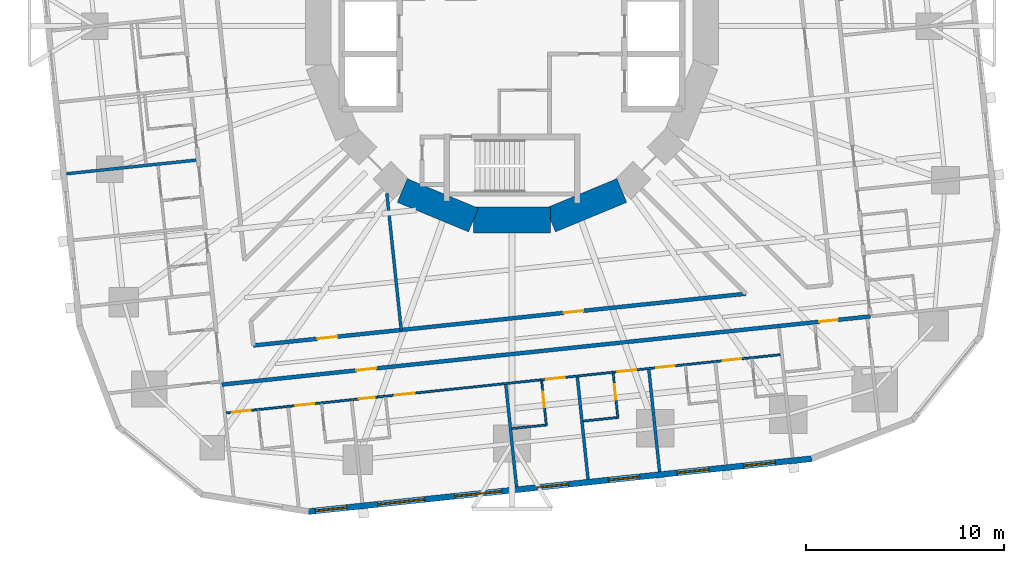
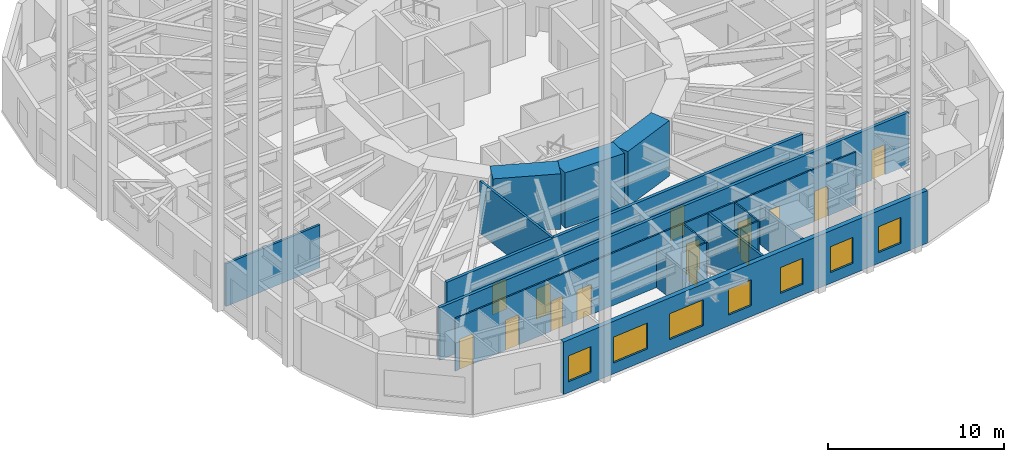
# One storey, part 5 of 13: 16 walls, 14 doors, 7 windows, 21 openings.
"""IFC4 building model written with IfcOpenShell, lengths in metres."""

from ifc_helpers import new_model, si_unit, direction, frame, frame_2d, origin, place, context, subcontext, project, spatial, rectangle, extrude, material, layer, layer_set, type_object, element, fill, save


model = new_model("IFC4")

# Units and contexts
model_context = context("Model", 3, precision=1e-05, world=origin(), true_north=direction((0.0, 1.0)))
body_context = subcontext(model_context, "Body", "Model", "MODEL_VIEW")
ifc_project = project(units=[si_unit("LENGTHUNIT", "METRE"), si_unit("AREAUNIT", "SQUARE_METRE"), si_unit("VOLUMEUNIT", "CUBIC_METRE"), si_unit("PLANEANGLEUNIT", "RADIAN"), si_unit("MASSUNIT", "GRAM", prefix="KILO")], contexts=[model_context])

# Site, building, storey
site_placement = place(None, origin())
site = spatial("IfcSite", under=ifc_project, at=site_placement, CompositionType="ELEMENT")
building_placement = place(site_placement, origin())
building = spatial("IfcBuilding", under=site, at=building_placement, Name="Nakasero Lantern House", CompositionType="ELEMENT")
storey_placement = place(building_placement, frame((0.0, 0.0, 60.5)))
storey = spatial("IfcBuildingStorey", under=building, at=storey_placement, Name="L14", CompositionType="ELEMENT", Elevation=60.5)

# Wall, openings, doors
ifc_material_1 = material(Name="Blockwork", Category="masonry")
ifc_layer_1 = layer(ifc_material_1, 0.10009765625)
ifc_layer_set_1 = layer_set([ifc_layer_1], Name="Cluster hall wall 100")
wall_type_1 = type_object("IfcWallType", Name="Cluster hall wall 100", PredefinedType="PARTITIONING", material=ifc_layer_set_1)
wall_1_placement = place(storey_placement, frame((-14.458740234375, -19.568603515625, 0.0), z_axis=(0.0, 0.0, 1.0), x_axis=(0.99452185951, 0.10452880444, 0.0)))
wall_1 = element("IfcWall", 1, at=wall_1_placement, inside=storey, type_object=wall_type_1, Name="Cluster hall wall L14 HW3-0", PredefinedType="PARTITIONING", context=body_context, shape_type="SweptSolid", body=[
    extrude(rectangle(XDim=28.191162109375, YDim=0.10009765625, at=frame_2d((14.095703125, 0.0))), origin(), (0.0, 0.0, 1.0), 3.64990234375),
])
opening_1_placement = place(wall_1_placement, frame((8.57568359375, 0.0, 0.0)))
opening_1 = element("IfcOpeningElement", 2, at=opening_1_placement, cuts=wall_1, Name="Opening D03", PredefinedType="OPENING", context=body_context, shape_type="SweptSolid", body=[
    extrude(rectangle(XDim=1.0, YDim=2.10009765625, at=frame_2d((0.5, 1.050048828125))), frame((0.0, 0.070068359375, 0.0), z_axis=(0.0, -1.0, 0.0), x_axis=(1.0, 0.0, 0.0)), (0.0, 0.0, 1.0), 0.14013671875),
])
opening_2_placement = place(wall_1_placement, frame((6.75048828125, 0.0, 0.0)))
opening_2 = element("IfcOpeningElement", 3, at=opening_2_placement, cuts=wall_1, Name="Opening D02", PredefinedType="OPENING", context=body_context, shape_type="SweptSolid", body=[
    extrude(rectangle(XDim=0.800048828125, YDim=2.10009765625, at=frame_2d((0.39990234375, 1.050048828125))), frame((0.0, 0.070068359375, 0.0), z_axis=(0.0, -1.0, 0.0), x_axis=(1.0, 0.0, 0.0)), (0.0, 0.0, 1.0), 0.14013671875),
])
opening_3_placement = place(wall_1_placement, frame((0.300048828125, 0.0, 0.0)))
opening_3 = element("IfcOpeningElement", 4, at=opening_3_placement, cuts=wall_1, Name="Opening D01", PredefinedType="OPENING", context=body_context, shape_type="SweptSolid", body=[
    extrude(rectangle(XDim=0.949951171875, YDim=2.10009765625, at=frame_2d((0.47509765625, 1.050048828125))), frame((0.0, 0.070068359375, 0.0), z_axis=(0.0, -1.0, 0.0), x_axis=(1.0, 0.0, 0.0)), (0.0, 0.0, 1.0), 0.14013671875),
])
opening_4_placement = place(wall_1_placement, frame((3.525390625, 0.0, 0.0)))
opening_4 = element("IfcOpeningElement", 5, at=opening_4_placement, cuts=wall_1, Name="Opening D01", PredefinedType="OPENING", context=body_context, shape_type="SweptSolid", body=[
    extrude(rectangle(XDim=0.949951171875, YDim=2.10009765625, at=frame_2d((0.47509765625, 1.050048828125))), frame((0.0, 0.070068359375, 0.0), z_axis=(0.0, -1.0, 0.0), x_axis=(1.0, 0.0, 0.0)), (0.0, 0.0, 1.0), 0.14013671875),
])
opening_5_placement = place(wall_1_placement, frame((16.267822265625, 0.0, 0.0)))
opening_5 = element("IfcOpeningElement", 6, at=opening_5_placement, cuts=wall_1, Name="Opening D01", PredefinedType="OPENING", context=body_context, shape_type="SweptSolid", body=[
    extrude(rectangle(XDim=0.949951171875, YDim=2.10009765625, at=frame_2d((0.47509765625, 1.050048828125))), frame((0.0, 0.070068359375, 0.0), z_axis=(0.0, -1.0, 0.0), x_axis=(1.0, 0.0, 0.0)), (0.0, 0.0, 1.0), 0.14013671875),
])
opening_6_placement = place(wall_1_placement, frame((19.906494140625, 0.0, 0.0)))
opening_6 = element("IfcOpeningElement", 7, at=opening_6_placement, cuts=wall_1, Name="Opening D01", PredefinedType="OPENING", context=body_context, shape_type="SweptSolid", body=[
    extrude(rectangle(XDim=0.949951171875, YDim=2.10009765625, at=frame_2d((0.47509765625, 1.050048828125))), frame((0.0, 0.070068359375, 0.0), z_axis=(0.0, -1.0, 0.0), x_axis=(1.0, 0.0, 0.0)), (0.0, 0.0, 1.0), 0.14013671875),
])
opening_7_placement = place(wall_1_placement, frame((21.8701171875, 0.0, 0.0)))
opening_7 = element("IfcOpeningElement", 8, at=opening_7_placement, cuts=wall_1, Name="Opening D01", PredefinedType="OPENING", context=body_context, shape_type="SweptSolid", body=[
    extrude(rectangle(XDim=0.949951171875, YDim=2.10009765625, at=frame_2d((0.47509765625, 1.050048828125))), frame((0.0, 0.070068359375, 0.0), z_axis=(0.0, -1.0, 0.0), x_axis=(1.0, 0.0, 0.0)), (0.0, 0.0, 1.0), 0.14013671875),
])
opening_8_placement = place(wall_1_placement, frame((25.255615234375, 0.0, 0.0)))
opening_8 = element("IfcOpeningElement", 9, at=opening_8_placement, cuts=wall_1, Name="Opening D01", PredefinedType="OPENING", context=body_context, shape_type="SweptSolid", body=[
    extrude(rectangle(XDim=0.949951171875, YDim=2.10009765625, at=frame_2d((0.47509765625, 1.050048828125))), frame((0.0, 0.070068359375, 0.0), z_axis=(0.0, -1.0, 0.0), x_axis=(1.0, 0.0, 0.0)), (0.0, 0.0, 1.0), 0.14013671875),
])
ifc_material_2 = material(Name="Timber C24", Category="wood")
door_type_1 = type_object("IfcDoorType", Name="Bedroom door FD30S 950", OperationType="SINGLE_SWING_LEFT", PredefinedType="DOOR", material=ifc_material_2)
door_1_placement = place(opening_3_placement, origin())
door_1 = element("IfcDoor", 10, at=door_1_placement, inside=storey, type_object=door_type_1, Name="Door L14 D3-00", OperationType="SINGLE_SWING_LEFT", OverallHeight=2.10009765625, OverallWidth=0.949951171875, PredefinedType="DOOR", context=body_context, shape_type="SweptSolid", body=[
    extrude(rectangle(XDim=0.949951171875, YDim=2.10009765625, at=frame_2d((0.47509765625, 1.050048828125))), frame((0.0, 0.02490234375, 0.0), z_axis=(0.0, -1.0, 0.0), x_axis=(1.0, 0.0, 0.0)), (0.0, 0.0, 1.0), 0.050048828125),
])
fill(opening_3, door_1)
door_2_placement = place(opening_4_placement, origin())
door_2 = element("IfcDoor", 11, at=door_2_placement, inside=storey, type_object=door_type_1, Name="Door L14 D3-01", OperationType="SINGLE_SWING_LEFT", OverallHeight=2.10009765625, OverallWidth=0.949951171875, PredefinedType="DOOR", context=body_context, shape_type="SweptSolid", body=[
    extrude(rectangle(XDim=0.949951171875, YDim=2.10009765625, at=frame_2d((0.47509765625, 1.050048828125))), frame((0.0, 0.02490234375, 0.0), z_axis=(0.0, -1.0, 0.0), x_axis=(1.0, 0.0, 0.0)), (0.0, 0.0, 1.0), 0.050048828125),
])
fill(opening_4, door_2)
door_3_placement = place(opening_5_placement, origin())
door_3 = element("IfcDoor", 12, at=door_3_placement, inside=storey, type_object=door_type_1, Name="Door L14 D3-04", OperationType="SINGLE_SWING_RIGHT", OverallHeight=2.10009765625, OverallWidth=0.949951171875, PredefinedType="DOOR", context=body_context, shape_type="SweptSolid", body=[
    extrude(rectangle(XDim=0.949951171875, YDim=2.10009765625, at=frame_2d((0.47509765625, 1.050048828125))), frame((0.0, 0.02490234375, 0.0), z_axis=(0.0, -1.0, 0.0), x_axis=(1.0, 0.0, 0.0)), (0.0, 0.0, 1.0), 0.050048828125),
])
fill(opening_5, door_3)
door_4_placement = place(opening_6_placement, origin())
door_4 = element("IfcDoor", 13, at=door_4_placement, inside=storey, type_object=door_type_1, Name="Door L14 D3-05", OperationType="SINGLE_SWING_RIGHT", OverallHeight=2.10009765625, OverallWidth=0.949951171875, PredefinedType="DOOR", context=body_context, shape_type="SweptSolid", body=[
    extrude(rectangle(XDim=0.949951171875, YDim=2.10009765625, at=frame_2d((0.47509765625, 1.050048828125))), frame((0.0, 0.02490234375, 0.0), z_axis=(0.0, -1.0, 0.0), x_axis=(1.0, 0.0, 0.0)), (0.0, 0.0, 1.0), 0.050048828125),
])
fill(opening_6, door_4)
door_5_placement = place(opening_7_placement, origin())
door_5 = element("IfcDoor", 14, at=door_5_placement, inside=storey, type_object=door_type_1, Name="Door L14 D3-06", OperationType="SINGLE_SWING_RIGHT", OverallHeight=2.10009765625, OverallWidth=0.949951171875, PredefinedType="DOOR", context=body_context, shape_type="SweptSolid", body=[
    extrude(rectangle(XDim=0.949951171875, YDim=2.10009765625, at=frame_2d((0.47509765625, 1.050048828125))), frame((0.0, 0.02490234375, 0.0), z_axis=(0.0, -1.0, 0.0), x_axis=(1.0, 0.0, 0.0)), (0.0, 0.0, 1.0), 0.050048828125),
])
fill(opening_7, door_5)
door_6_placement = place(opening_8_placement, origin())
door_6 = element("IfcDoor", 15, at=door_6_placement, inside=storey, type_object=door_type_1, Name="Door L14 D3-07", OperationType="SINGLE_SWING_RIGHT", OverallHeight=2.10009765625, OverallWidth=0.949951171875, PredefinedType="DOOR", context=body_context, shape_type="SweptSolid", body=[
    extrude(rectangle(XDim=0.949951171875, YDim=2.10009765625, at=frame_2d((0.47509765625, 1.050048828125))), frame((0.0, 0.02490234375, 0.0), z_axis=(0.0, -1.0, 0.0), x_axis=(1.0, 0.0, 0.0)), (0.0, 0.0, 1.0), 0.050048828125),
])
fill(opening_8, door_6)
ifc_material_3 = material(Name="Timber C24", Category="wood")
door_type_2 = type_object("IfcDoorType", Name="En-suite door 800", OperationType="SINGLE_SWING_RIGHT", PredefinedType="DOOR", material=ifc_material_3)
door_7_placement = place(opening_2_placement, origin())
door_7 = element("IfcDoor", 16, at=door_7_placement, inside=storey, type_object=door_type_2, Name="Door L14 DSH3-0", OperationType="SINGLE_SWING_LEFT", OverallHeight=2.10009765625, OverallWidth=0.800048828125, PredefinedType="DOOR", context=body_context, shape_type="SweptSolid", body=[
    extrude(rectangle(XDim=0.800048828125, YDim=2.10009765625, at=frame_2d((0.39990234375, 1.050048828125))), frame((0.0, 0.02490234375, 0.0), z_axis=(0.0, -1.0, 0.0), x_axis=(1.0, 0.0, 0.0)), (0.0, 0.0, 1.0), 0.050048828125),
])
fill(opening_2, door_7)
ifc_material_4 = material(Name="Timber C24", Category="wood")
door_type_3 = type_object("IfcDoorType", Name="Lounge door FD30S 1000", OperationType="SINGLE_SWING_LEFT", PredefinedType="DOOR", material=ifc_material_4)
door_8_placement = place(opening_1_placement, origin())
door_8 = element("IfcDoor", 17, at=door_8_placement, inside=storey, type_object=door_type_3, Name="Door L14 DH3-0", OperationType="SINGLE_SWING_LEFT", OverallHeight=2.10009765625, OverallWidth=1.0, PredefinedType="DOOR", context=body_context, shape_type="SweptSolid", body=[
    extrude(rectangle(XDim=1.0, YDim=2.10009765625, at=frame_2d((0.5, 1.050048828125))), frame((0.0, 0.02490234375, 0.0), z_axis=(0.0, -1.0, 0.0), x_axis=(1.0, 0.0, 0.0)), (0.0, 0.0, 1.0), 0.050048828125),
])
fill(opening_1, door_8)

# Walls
ifc_material_5 = material(Name="Concrete C50/60", Category="concrete")
ifc_layer_2 = layer(ifc_material_5, 1.300048828125)
ifc_layer_set_2 = layer_set([ifc_layer_2], Name="Core wall 1300")
wall_type_2 = type_object("IfcWallType", Name="Core wall 1300", PredefinedType="SHEAR", material=ifc_layer_set_2)
for number, where, z_axis, x_axis, name in (
    (18, (-5.5556640625, -8.314697265625, 0.0), (0.0, 0.0, 1.0), (0.923876507187, -0.382690736062, 0.0), "Core wall L14 facet 11"),
    (19, (-1.950927734375, -9.807861328125, 0.0), (0.0, 0.0, 1.0), (1.0, 0.0, 0.0), "Core wall L14 facet 12"),
    (20, (1.950927734375, -9.807861328125, 0.0), (0.0, 0.0, 1.0), (0.923876507187, 0.382690736062, 0.0), "Core wall L14 facet 13"),
):
    element("IfcWall", number, at=place(storey_placement, frame(where, z_axis=z_axis, x_axis=x_axis)), inside=storey, type_object=wall_type_2, Name=name, PredefinedType="SHEAR", context=body_context, shape_type="SweptSolid", body=[
        extrude(rectangle(XDim=3.90185546875, YDim=1.300048828125, at=frame_2d((1.950927734375, 0.0))), origin(), (0.0, 0.0, 1.0), 3.85009765625),
    ])

# Wall, openings, doors
ifc_material_6 = material(Name="Blockwork", Category="masonry")
ifc_layer_3 = layer(ifc_material_6, 0.199951171875)
ifc_layer_set_3 = layer_set([ifc_layer_3], Name="Corridor wall 200")
wall_type_3 = type_object("IfcWallType", Name="Corridor wall 200", PredefinedType="PARTITIONING", material=ifc_layer_set_3)
wall_2_placement = place(storey_placement, frame((-14.684814453125, -18.13427734375, 0.0), z_axis=(0.0, 0.0, 1.0), x_axis=(0.994521777723, 0.10452958258, 0.0)))
wall_2 = element("IfcWall", 21, at=wall_2_placement, inside=storey, type_object=wall_type_3, Name="Corridor wall L14 CW3", PredefinedType="PARTITIONING", context=body_context, shape_type="SweptSolid", body=[
    extrude(rectangle(XDim=32.999755859375, YDim=0.199951171875, at=frame_2d((16.5, 0.0))), origin(), (0.0, 0.0, 1.0), 3.64990234375),
])
opening_9_placement = place(wall_2_placement, frame((6.8505859375, 0.0, 0.0)))
opening_9 = element("IfcOpeningElement", 22, at=opening_9_placement, cuts=wall_2, Name="Opening D14", PredefinedType="OPENING", context=body_context, shape_type="SweptSolid", body=[
    extrude(rectangle(XDim=1.0, YDim=2.10009765625, at=frame_2d((0.5, 1.050048828125))), frame((0.0, 0.119873046875, 0.0), z_axis=(0.0, -1.0, 0.0), x_axis=(1.0, 0.0, 0.0)), (0.0, 0.0, 1.0), 0.239990234375),
])
opening_10_placement = place(wall_2_placement, frame((30.39111328125, 0.0, 0.0)))
opening_10 = element("IfcOpeningElement", 23, at=opening_10_placement, cuts=wall_2, Name="Opening D01", PredefinedType="OPENING", context=body_context, shape_type="SweptSolid", body=[
    extrude(rectangle(XDim=0.949951171875, YDim=2.10009765625, at=frame_2d((0.47509765625, 1.050048828125))), frame((0.0, 0.119873046875, 0.0), z_axis=(0.0, -1.0, 0.0), x_axis=(1.0, 0.0, 0.0)), (0.0, 0.0, 1.0), 0.239990234375),
])
door_9_placement = place(opening_10_placement, origin())
door_9 = element("IfcDoor", 24, at=door_9_placement, inside=storey, type_object=door_type_1, Name="Door L14 D3-08", OperationType="SINGLE_SWING_RIGHT", OverallHeight=2.10009765625, OverallWidth=0.949951171875, PredefinedType="DOOR", context=body_context, shape_type="SweptSolid", body=[
    extrude(rectangle(XDim=0.949951171875, YDim=2.10009765625, at=frame_2d((0.47509765625, 1.050048828125))), frame((0.0, 0.02490234375, 0.0), z_axis=(0.0, -1.0, 0.0), x_axis=(1.0, 0.0, 0.0)), (0.0, 0.0, 1.0), 0.050048828125),
])
fill(opening_10, door_9)
ifc_material_7 = material(Name="Timber C24", Category="wood")
door_type_4 = type_object("IfcDoorType", Name="Cluster entrance door FD30S 1000", OperationType="SINGLE_SWING_LEFT", PredefinedType="DOOR", material=ifc_material_7)
door_10_placement = place(opening_9_placement, origin())
door_10 = element("IfcDoor", 25, at=door_10_placement, inside=storey, type_object=door_type_4, Name="Door L14 DF3-0", OperationType="SINGLE_SWING_LEFT", OverallHeight=2.10009765625, OverallWidth=1.0, PredefinedType="DOOR", context=body_context, shape_type="SweptSolid", body=[
    extrude(rectangle(XDim=1.0, YDim=2.10009765625, at=frame_2d((0.5, 1.050048828125))), frame((0.0, 0.02490234375, 0.0), z_axis=(0.0, -1.0, 0.0), x_axis=(1.0, 0.0, 0.0)), (0.0, 0.0, 1.0), 0.050048828125),
])
fill(opening_9, door_10)

wall_3_placement = place(storey_placement, frame((-13.0830078125, -16.156005859375, 0.0), z_axis=(0.0, 0.0, 1.0), x_axis=(0.994522255552, 0.104525036292, 0.0)))
wall_3 = element("IfcWall", 26, at=wall_3_placement, inside=storey, type_object=wall_type_3, Name="Corridor wall L14 IW3-0", PredefinedType="PARTITIONING", context=body_context, shape_type="SweptSolid", body=[
    extrude(rectangle(XDim=25.059814453125, YDim=0.199951171875, at=frame_2d((12.52978515625, 0.0))), origin(), (0.0, 0.0, 1.0), 3.64990234375),
])
opening_11_placement = place(wall_3_placement, frame((3.259033203125, 0.0, 0.0)))
opening_11 = element("IfcOpeningElement", 27, at=opening_11_placement, cuts=wall_3, Name="Opening D07", PredefinedType="OPENING", context=body_context, shape_type="SweptSolid", body=[
    extrude(rectangle(XDim=1.0, YDim=2.10009765625, at=frame_2d((0.5, 1.050048828125))), frame((0.0, 0.119873046875, 0.0), z_axis=(0.0, -1.0, 0.0), x_axis=(1.0, 0.0, 0.0)), (0.0, 0.0, 1.0), 0.239990234375),
])
opening_12_placement = place(wall_3_placement, frame((15.788818359375, 0.0, 0.0)))
opening_12 = element("IfcOpeningElement", 28, at=opening_12_placement, cuts=wall_3, Name="Opening D07", PredefinedType="OPENING", context=body_context, shape_type="SweptSolid", body=[
    extrude(rectangle(XDim=1.0, YDim=2.10009765625, at=frame_2d((0.5, 1.050048828125))), frame((0.0, 0.119873046875, 0.0), z_axis=(0.0, -1.0, 0.0), x_axis=(1.0, 0.0, 0.0)), (0.0, 0.0, 1.0), 0.239990234375),
])
ifc_material_8 = material(Name="Timber C24", Category="wood")
door_type_5 = type_object("IfcDoorType", Name="Room door FD30S 1000", OperationType="SINGLE_SWING_LEFT", PredefinedType="DOOR", material=ifc_material_8)
door_11_placement = place(opening_11_placement, origin())
door_11 = element("IfcDoor", 29, at=door_11_placement, inside=storey, type_object=door_type_5, Name="Door L14 DI4", OperationType="SINGLE_SWING_LEFT", OverallHeight=2.10009765625, OverallWidth=1.0, PredefinedType="DOOR", context=body_context, shape_type="SweptSolid", body=[
    extrude(rectangle(XDim=1.0, YDim=2.10009765625, at=frame_2d((0.5, 1.050048828125))), frame((0.0, 0.02490234375, 0.0), z_axis=(0.0, -1.0, 0.0), x_axis=(1.0, 0.0, 0.0)), (0.0, 0.0, 1.0), 0.050048828125),
])
fill(opening_11, door_11)
door_12_placement = place(opening_12_placement, origin())
door_12 = element("IfcDoor", 30, at=door_12_placement, inside=storey, type_object=door_type_5, Name="Door L14 DI4S", OperationType="SINGLE_SWING_RIGHT", OverallHeight=2.10009765625, OverallWidth=1.0, PredefinedType="DOOR", context=body_context, shape_type="SweptSolid", body=[
    extrude(rectangle(XDim=1.0, YDim=2.10009765625, at=frame_2d((0.5, 1.050048828125))), frame((0.0, 0.02490234375, 0.0), z_axis=(0.0, -1.0, 0.0), x_axis=(1.0, 0.0, 0.0)), (0.0, 0.0, 1.0), 0.050048828125),
])
fill(opening_12, door_12)

# Wall, opening, door
ifc_material_9 = material(Name="Blockwork", Category="masonry")
ifc_layer_4 = layer(ifc_material_9, 0.10009765625)
ifc_layer_set_4 = layer_set([ifc_layer_4], Name="En-suite wall 100")
wall_type_4 = type_object("IfcWallType", Name="En-suite wall 100", PredefinedType="PARTITIONING", material=ifc_layer_set_4)
wall_4_placement = place(storey_placement, frame((1.50146484375, -17.94140625, 0.0), z_axis=(0.0, 0.0, 1.0), x_axis=(0.104557694553, -0.994518822602, 0.0)))
wall_4 = element("IfcWall", 31, at=wall_4_placement, inside=storey, type_object=wall_type_4, Name="En-suite wall L14 ES3-04", PredefinedType="PARTITIONING", context=body_context, shape_type="SweptSolid", body=[
    extrude(rectangle(XDim=2.300048828125, YDim=0.10009765625, at=frame_2d((1.14990234375, 0.0))), origin(), (0.0, 0.0, 1.0), 3.64990234375),
])
opening_13_placement = place(wall_4_placement, frame((0.550048828125, 0.0, 0.0)))
opening_13 = element("IfcOpeningElement", 32, at=opening_13_placement, cuts=wall_4, Name="Opening D02", PredefinedType="OPENING", context=body_context, shape_type="SweptSolid", body=[
    extrude(rectangle(XDim=0.800048828125, YDim=2.10009765625, at=frame_2d((0.39990234375, 1.050048828125))), frame((0.0, 0.070068359375, 0.0), z_axis=(0.0, -1.0, 0.0), x_axis=(1.0, 0.0, 0.0)), (0.0, 0.0, 1.0), 0.14013671875),
])
door_13_placement = place(opening_13_placement, origin())
door_13 = element("IfcDoor", 33, at=door_13_placement, inside=storey, type_object=door_type_2, Name="Door L14 DE3-04", OperationType="SINGLE_SWING_LEFT", OverallHeight=2.10009765625, OverallWidth=0.800048828125, PredefinedType="DOOR", context=body_context, shape_type="SweptSolid", body=[
    extrude(rectangle(XDim=0.800048828125, YDim=2.10009765625, at=frame_2d((0.39990234375, 1.050048828125))), frame((0.0, 0.02490234375, 0.0), z_axis=(0.0, -1.0, 0.0), x_axis=(1.0, 0.0, 0.0)), (0.0, 0.0, 1.0), 0.050048828125),
])
fill(opening_13, door_13)

# Wall
wall_5_placement = place(storey_placement, frame((-0.00390625, -20.362060546875, 0.0), z_axis=(0.0, 0.0, 1.0), x_axis=(0.994519608382, 0.104550220202, 0.0)))
element("IfcWall", 34, at=wall_5_placement, inside=storey, type_object=wall_type_4, Name="En-suite wall L14 EE3-04", PredefinedType="PARTITIONING", context=body_context, shape_type="SweptSolid", body=[
    extrude(rectangle(XDim=1.699951171875, YDim=0.10009765625, at=frame_2d((0.85009765625, 0.0))), origin(), (0.0, 0.0, 1.0), 3.64990234375),
])

# Wall, opening, door
wall_6_placement = place(storey_placement, frame((5.1201171875, -17.56103515625, 0.0), z_axis=(0.0, 0.0, 1.0), x_axis=(0.104557694553, -0.994518822602, 0.0)))
wall_6 = element("IfcWall", 35, at=wall_6_placement, inside=storey, type_object=wall_type_4, Name="En-suite wall L14 ES3-05", PredefinedType="PARTITIONING", context=body_context, shape_type="SweptSolid", body=[
    extrude(rectangle(XDim=2.300048828125, YDim=0.10009765625, at=frame_2d((1.14990234375, 0.0))), origin(), (0.0, 0.0, 1.0), 3.64990234375),
])
opening_14_placement = place(wall_6_placement, frame((0.550048828125, 0.0, 0.0)))
opening_14 = element("IfcOpeningElement", 36, at=opening_14_placement, cuts=wall_6, Name="Opening D02", PredefinedType="OPENING", context=body_context, shape_type="SweptSolid", body=[
    extrude(rectangle(XDim=0.800048828125, YDim=2.10009765625, at=frame_2d((0.39990234375, 1.050048828125))), frame((0.0, 0.070068359375, 0.0), z_axis=(0.0, -1.0, 0.0), x_axis=(1.0, 0.0, 0.0)), (0.0, 0.0, 1.0), 0.14013671875),
])
door_14_placement = place(opening_14_placement, origin())
door_14 = element("IfcDoor", 37, at=door_14_placement, inside=storey, type_object=door_type_2, Name="Door L14 DE3-05", OperationType="SINGLE_SWING_LEFT", OverallHeight=2.10009765625, OverallWidth=0.800048828125, PredefinedType="DOOR", context=body_context, shape_type="SweptSolid", body=[
    extrude(rectangle(XDim=0.800048828125, YDim=2.10009765625, at=frame_2d((0.39990234375, 1.050048828125))), frame((0.0, 0.02490234375, 0.0), z_axis=(0.0, -1.0, 0.0), x_axis=(1.0, 0.0, 0.0)), (0.0, 0.0, 1.0), 0.050048828125),
])
fill(opening_14, door_14)

# Wall
wall_7_placement = place(storey_placement, frame((3.61474609375, -19.981689453125, 0.0), z_axis=(0.0, 0.0, 1.0), x_axis=(0.994521177842, 0.104535289845, 0.0)))
element("IfcWall", 38, at=wall_7_placement, inside=storey, type_object=wall_type_4, Name="En-suite wall L14 EE3-05", PredefinedType="PARTITIONING", context=body_context, shape_type="SweptSolid", body=[
    extrude(rectangle(XDim=1.7001953125, YDim=0.10009765625, at=frame_2d((0.85009765625, 0.0))), origin(), (0.0, 0.0, 1.0), 3.64990234375),
])

# Wall, openings, windows
ifc_material_10 = material(Name="Aluminium rainscreen on blockwork", Category="masonry")
ifc_layer_5 = layer(ifc_material_10, 0.300048828125)
ifc_layer_set_5 = layer_set([ifc_layer_5], Name="Facade wall 300")
wall_type_5 = type_object("IfcWallType", Name="Facade wall 300", PredefinedType="SOLIDWALL", material=ifc_layer_set_5)
wall_8_placement = place(storey_placement, frame((-10.2890625, -24.56005859375, 0.0), z_axis=(0.0, 0.0, 1.0), x_axis=(0.994521483895, 0.104532378096, 0.0)))
wall_8 = element("IfcWall", 39, at=wall_8_placement, inside=storey, type_object=wall_type_5, Name="Facade wall L14 FW3S", PredefinedType="SOLIDWALL", context=body_context, shape_type="SweptSolid", body=[
    extrude(rectangle(XDim=25.599853515625, YDim=0.300048828125, at=frame_2d((12.7998046875, 0.0))), origin(), (0.0, 0.0, 1.0), 3.64990234375),
])
opening_15_placement = place(wall_8_placement, frame((0.337890625, 0.0, 0.75)))
opening_15 = element("IfcOpeningElement", 40, at=opening_15_placement, cuts=wall_8, Name="Opening W01", PredefinedType="OPENING", context=body_context, shape_type="SweptSolid", body=[
    extrude(rectangle(XDim=1.60009765625, YDim=1.800048828125, at=frame_2d((0.800048828125, 0.89990234375))), frame((0.0, 0.169921875, 0.0), z_axis=(0.0, -1.0, 0.0), x_axis=(1.0, 0.0, 0.0)), (0.0, 0.0, 1.0), 0.340087890625),
])
opening_16_placement = place(wall_8_placement, frame((11.612060546875, 0.0, 0.75)))
opening_16 = element("IfcOpeningElement", 41, at=opening_16_placement, cuts=wall_8, Name="Opening W01", PredefinedType="OPENING", context=body_context, shape_type="SweptSolid", body=[
    extrude(rectangle(XDim=1.60009765625, YDim=1.800048828125, at=frame_2d((0.800048828125, 0.89990234375))), frame((0.0, 0.169921875, 0.0), z_axis=(0.0, -1.0, 0.0), x_axis=(1.0, 0.0, 0.0)), (0.0, 0.0, 1.0), 0.340087890625),
])
opening_17_placement = place(wall_8_placement, frame((15.250732421875, 0.0, 0.75)))
opening_17 = element("IfcOpeningElement", 42, at=opening_17_placement, cuts=wall_8, Name="Opening W01", PredefinedType="OPENING", context=body_context, shape_type="SweptSolid", body=[
    extrude(rectangle(XDim=1.60009765625, YDim=1.800048828125, at=frame_2d((0.800048828125, 0.89990234375))), frame((0.0, 0.169921875, 0.0), z_axis=(0.0, -1.0, 0.0), x_axis=(1.0, 0.0, 0.0)), (0.0, 0.0, 1.0), 0.340087890625),
])
opening_18_placement = place(wall_8_placement, frame((18.7626953125, 0.0, 0.75)))
opening_18 = element("IfcOpeningElement", 43, at=opening_18_placement, cuts=wall_8, Name="Opening W01", PredefinedType="OPENING", context=body_context, shape_type="SweptSolid", body=[
    extrude(rectangle(XDim=1.60009765625, YDim=1.800048828125, at=frame_2d((0.800048828125, 0.89990234375))), frame((0.0, 0.169921875, 0.0), z_axis=(0.0, -1.0, 0.0), x_axis=(1.0, 0.0, 0.0)), (0.0, 0.0, 1.0), 0.340087890625),
])
opening_19_placement = place(wall_8_placement, frame((22.1484375, 0.0, 0.75)))
opening_19 = element("IfcOpeningElement", 44, at=opening_19_placement, cuts=wall_8, Name="Opening W01", PredefinedType="OPENING", context=body_context, shape_type="SweptSolid", body=[
    extrude(rectangle(XDim=1.60009765625, YDim=1.800048828125, at=frame_2d((0.800048828125, 0.89990234375))), frame((0.0, 0.169921875, 0.0), z_axis=(0.0, -1.0, 0.0), x_axis=(1.0, 0.0, 0.0)), (0.0, 0.0, 1.0), 0.340087890625),
])
opening_20_placement = place(wall_8_placement, frame((3.51123046875, 0.0, 0.75)))
opening_20 = element("IfcOpeningElement", 45, at=opening_20_placement, cuts=wall_8, Name="Opening W03", PredefinedType="OPENING", context=body_context, shape_type="SweptSolid", body=[
    extrude(rectangle(XDim=2.39990234375, YDim=1.800048828125, at=frame_2d((1.199951171875, 0.89990234375))), frame((0.0, 0.169921875, 0.0), z_axis=(0.0, -1.0, 0.0), x_axis=(1.0, 0.0, 0.0)), (0.0, 0.0, 1.0), 0.340087890625),
])
opening_21_placement = place(wall_8_placement, frame((7.432373046875, 0.0, 0.75)))
opening_21 = element("IfcOpeningElement", 46, at=opening_21_placement, cuts=wall_8, Name="Opening W03", PredefinedType="OPENING", context=body_context, shape_type="SweptSolid", body=[
    extrude(rectangle(XDim=2.39990234375, YDim=1.800048828125, at=frame_2d((1.199951171875, 0.89990234375))), frame((0.0, 0.169921875, 0.0), z_axis=(0.0, -1.0, 0.0), x_axis=(1.0, 0.0, 0.0)), (0.0, 0.0, 1.0), 0.340087890625),
])
ifc_material_11 = material(Name="Aluminium 6063-T6 and glass", Category="aluminium")
window_type_1 = type_object("IfcWindowType", Name="Bedroom window 1600x1800", PartitioningType="SINGLE_PANEL", PredefinedType="WINDOW", material=ifc_material_11)
window_1_placement = place(opening_15_placement, origin())
window_1 = element("IfcWindow", 47, at=window_1_placement, inside=storey, type_object=window_type_1, Name="Window L14 WN3-01", OverallHeight=1.800048828125, OverallWidth=1.60009765625, PartitioningType="SINGLE_PANEL", PredefinedType="WINDOW", context=body_context, shape_type="SweptSolid", body=[
    extrude(rectangle(XDim=1.60009765625, YDim=1.800048828125, at=frame_2d((0.800048828125, 0.89990234375))), frame((0.0, 0.030029296875, 0.0), z_axis=(0.0, -1.0, 0.0), x_axis=(1.0, 0.0, 0.0)), (0.0, 0.0, 1.0), 0.06005859375),
])
fill(opening_15, window_1)
window_2_placement = place(opening_16_placement, origin())
window_2 = element("IfcWindow", 48, at=window_2_placement, inside=storey, type_object=window_type_1, Name="Window L14 WN3-04", OverallHeight=1.800048828125, OverallWidth=1.60009765625, PartitioningType="SINGLE_PANEL", PredefinedType="WINDOW", context=body_context, shape_type="SweptSolid", body=[
    extrude(rectangle(XDim=1.60009765625, YDim=1.800048828125, at=frame_2d((0.800048828125, 0.89990234375))), frame((0.0, 0.030029296875, 0.0), z_axis=(0.0, -1.0, 0.0), x_axis=(1.0, 0.0, 0.0)), (0.0, 0.0, 1.0), 0.06005859375),
])
fill(opening_16, window_2)
window_3_placement = place(opening_17_placement, origin())
window_3 = element("IfcWindow", 49, at=window_3_placement, inside=storey, type_object=window_type_1, Name="Window L14 WN3-05", OverallHeight=1.800048828125, OverallWidth=1.60009765625, PartitioningType="SINGLE_PANEL", PredefinedType="WINDOW", context=body_context, shape_type="SweptSolid", body=[
    extrude(rectangle(XDim=1.60009765625, YDim=1.800048828125, at=frame_2d((0.800048828125, 0.89990234375))), frame((0.0, 0.030029296875, 0.0), z_axis=(0.0, -1.0, 0.0), x_axis=(1.0, 0.0, 0.0)), (0.0, 0.0, 1.0), 0.06005859375),
])
fill(opening_17, window_3)
window_4_placement = place(opening_18_placement, origin())
window_4 = element("IfcWindow", 50, at=window_4_placement, inside=storey, type_object=window_type_1, Name="Window L14 WN3-06", OverallHeight=1.800048828125, OverallWidth=1.60009765625, PartitioningType="SINGLE_PANEL", PredefinedType="WINDOW", context=body_context, shape_type="SweptSolid", body=[
    extrude(rectangle(XDim=1.60009765625, YDim=1.800048828125, at=frame_2d((0.800048828125, 0.89990234375))), frame((0.0, 0.030029296875, 0.0), z_axis=(0.0, -1.0, 0.0), x_axis=(1.0, 0.0, 0.0)), (0.0, 0.0, 1.0), 0.06005859375),
])
fill(opening_18, window_4)
window_5_placement = place(opening_19_placement, origin())
window_5 = element("IfcWindow", 51, at=window_5_placement, inside=storey, type_object=window_type_1, Name="Window L14 WN3-07", OverallHeight=1.800048828125, OverallWidth=1.60009765625, PartitioningType="SINGLE_PANEL", PredefinedType="WINDOW", context=body_context, shape_type="SweptSolid", body=[
    extrude(rectangle(XDim=1.60009765625, YDim=1.800048828125, at=frame_2d((0.800048828125, 0.89990234375))), frame((0.0, 0.030029296875, 0.0), z_axis=(0.0, -1.0, 0.0), x_axis=(1.0, 0.0, 0.0)), (0.0, 0.0, 1.0), 0.06005859375),
])
fill(opening_19, window_5)
ifc_material_12 = material(Name="Aluminium 6063-T6 and glass", Category="aluminium")
window_type_2 = type_object("IfcWindowType", Name="Lounge window 2400x1800", PartitioningType="SINGLE_PANEL", PredefinedType="WINDOW", material=ifc_material_12)
window_6_placement = place(opening_20_placement, origin())
window_6 = element("IfcWindow", 52, at=window_6_placement, inside=storey, type_object=window_type_2, Name="Window L14 WK3", OverallHeight=1.800048828125, OverallWidth=2.39990234375, PartitioningType="SINGLE_PANEL", PredefinedType="WINDOW", context=body_context, shape_type="SweptSolid", body=[
    extrude(rectangle(XDim=2.39990234375, YDim=1.800048828125, at=frame_2d((1.199951171875, 0.89990234375))), frame((0.0, 0.030029296875, 0.0), z_axis=(0.0, -1.0, 0.0), x_axis=(1.0, 0.0, 0.0)), (0.0, 0.0, 1.0), 0.06005859375),
])
fill(opening_20, window_6)
window_7_placement = place(opening_21_placement, origin())
window_7 = element("IfcWindow", 53, at=window_7_placement, inside=storey, type_object=window_type_2, Name="Window L14 WL3", OverallHeight=1.800048828125, OverallWidth=2.39990234375, PartitioningType="SINGLE_PANEL", PredefinedType="WINDOW", context=body_context, shape_type="SweptSolid", body=[
    extrude(rectangle(XDim=2.39990234375, YDim=1.800048828125, at=frame_2d((1.199951171875, 0.89990234375))), frame((0.0, 0.030029296875, 0.0), z_axis=(0.0, -1.0, 0.0), x_axis=(1.0, 0.0, 0.0)), (0.0, 0.0, 1.0), 0.06005859375),
])
fill(opening_21, window_7)

# Walls
ifc_material_13 = material(Name="Blockwork", Category="masonry")
ifc_layer_6 = layer(ifc_material_13, 0.14990234375)
ifc_layer_set_6 = layer_set([ifc_layer_6], Name="Party wall 150")
wall_type_6 = type_object("IfcWallType", Name="Party wall 150", PredefinedType="PARTITIONING", material=ifc_layer_set_6)
wall_9_placement = place(storey_placement, frame((-15.97900390625, -6.77734375, 0.0), z_axis=(0.0, 0.0, 1.0), x_axis=(-0.994521251134, -0.104534592565, 0.0)))
element("IfcWall", 54, at=wall_9_placement, inside=storey, type_object=wall_type_6, Name="Party wall L14 PW2-06", PredefinedType="PARTITIONING", context=body_context, shape_type="SweptSolid", body=[
    extrude(rectangle(XDim=6.60009765625, YDim=0.14990234375, at=frame_2d((3.300048828125, 0.0))), origin(), (0.0, 0.0, 1.0), 2.966552734375),
])
wall_10_placement = place(storey_placement, frame((-0.3134765625, -18.132080078125, 0.0), z_axis=(0.0, 0.0, 1.0), x_axis=(0.104508820017, -0.994523959761, 0.0)))
element("IfcWall", 55, at=wall_10_placement, inside=storey, type_object=wall_type_6, Name="Party wall L14 PW3-04", PredefinedType="PARTITIONING", context=body_context, shape_type="SweptSolid", body=[
    extrude(rectangle(XDim=5.2001953125, YDim=0.14990234375, at=frame_2d((2.60009765625, 0.0))), origin(), (0.0, 0.0, 1.0), 2.659912109375),
])
wall_11_placement = place(storey_placement, frame((3.30517578125, -17.751708984375, 0.0), z_axis=(0.0, 0.0, 1.0), x_axis=(0.104508820017, -0.994523959761, 0.0)))
element("IfcWall", 56, at=wall_11_placement, inside=storey, type_object=wall_type_6, Name="Party wall L14 PW3-05", PredefinedType="PARTITIONING", context=body_context, shape_type="SweptSolid", body=[
    extrude(rectangle(XDim=5.2001953125, YDim=0.14990234375, at=frame_2d((2.60009765625, 0.0))), origin(), (0.0, 0.0, 1.0), 3.64990234375),
])
wall_12_placement = place(storey_placement, frame((6.923828125, -17.371337890625, 0.0), z_axis=(0.0, 0.0, 1.0), x_axis=(0.104508820017, -0.994523959761, 0.0)))
element("IfcWall", 57, at=wall_12_placement, inside=storey, type_object=wall_type_6, Name="Party wall L14 PW3-06", PredefinedType="PARTITIONING", context=body_context, shape_type="SweptSolid", body=[
    extrude(rectangle(XDim=5.2001953125, YDim=0.14990234375, at=frame_2d((2.60009765625, 0.0))), origin(), (0.0, 0.0, 1.0), 2.669921875),
])
wall_13_placement = place(storey_placement, frame((-6.332763671875, -8.456787109375, 0.0), z_axis=(0.0, 0.0, 1.0), x_axis=(0.104520243374, -0.99452275928, 0.0)))
element("IfcWall", 58, at=wall_13_placement, inside=storey, type_object=wall_type_6, Name="Party wall L14 IS4", PredefinedType="PARTITIONING", context=body_context, shape_type="SweptSolid", body=[
    extrude(rectangle(XDim=6.951416015625, YDim=0.14990234375, at=frame_2d((3.4755859375, 0.0))), origin(), (0.0, 0.0, 1.0), 3.64990234375),
])

save(model, "model.ifc")
